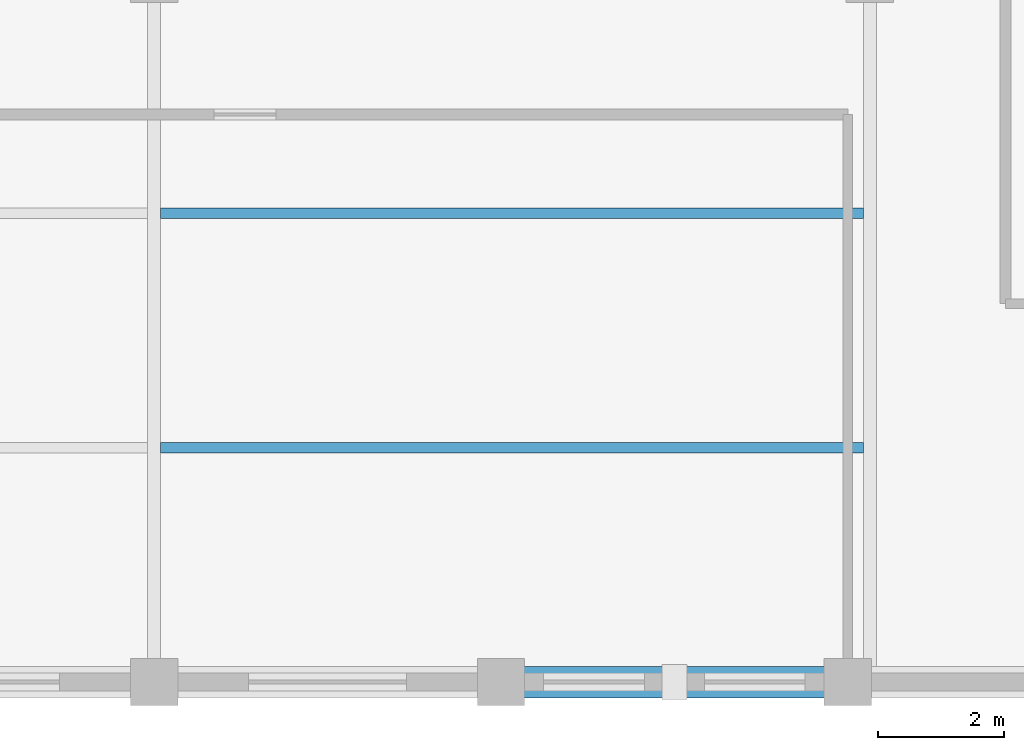
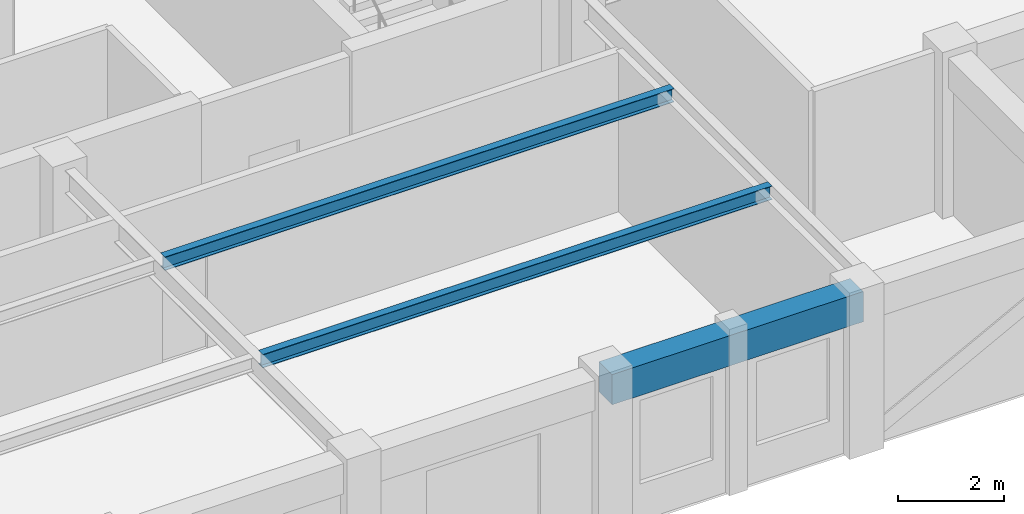
# One storey, part 3 of 13: 3 beams.
"""IFC4 building model written with IfcOpenShell, lengths in metres."""

from ifc_helpers import new_model, si_unit, direction, frame, origin, origin_2d, place, context, subcontext, project, spatial, rectangle, i_section, extrude, material, material_profile, profile_set, type_object, element, save


model = new_model("IFC4")

# Units and contexts
model_context = context("Model", 3, precision=1e-05, world=origin(), true_north=direction((0.0, 1.0)))
body_context = subcontext(model_context, "Body", "Model", "MODEL_VIEW")
ifc_project = project(units=[si_unit("LENGTHUNIT", "METRE"), si_unit("AREAUNIT", "SQUARE_METRE"), si_unit("VOLUMEUNIT", "CUBIC_METRE"), si_unit("PLANEANGLEUNIT", "RADIAN"), si_unit("MASSUNIT", "GRAM", prefix="KILO")], contexts=[model_context])

# Site, building, storey
site_placement = place(None, origin())
site = spatial("IfcSite", under=ifc_project, at=site_placement, CompositionType="ELEMENT")
building_placement = place(site_placement, origin())
building = spatial("IfcBuilding", under=site, at=building_placement, Name="Nhamokura Convention Tower", CompositionType="ELEMENT")
storey_placement = place(building_placement, frame((0.0, 0.0, 300.64990234375)))
storey = spatial("IfcBuildingStorey", under=building, at=storey_placement, Name="L74", CompositionType="ELEMENT", Elevation=300.64990234375)

# Beams
ifc_material_1 = material(Name="Steel ASTM A992 Gr 50", Category="steel")
ifc_material_profile_1 = material_profile(ifc_material_1, i_section(OverallWidth=0.166015625, OverallDepth=0.31298828125, WebThickness=0.006591796875, FlangeThickness=0.01123046875, at=origin_2d()))
ifc_profile_set_1 = profile_set([ifc_material_profile_1], Name="Steel ASTM A992 Gr 50")
beam_type_1 = type_object("IfcBeamType", Name="FloorJoist_W310X45", PredefinedType="JOIST", material=ifc_profile_set_1)
for number, where, z_axis, x_axis, name in (
    (1, (32.1025390625, 13.216796875, 3.528564453125), (1.0, 0.0, 0.0), (0.0, 1.0, 0.0), "L74 Composite Floor Joist S1B"),
    (2, (32.1025390625, 16.933349609375, 3.528564453125), (1.0, 0.0, 0.0), (0.0, 1.0, 0.0), "L74 Composite Floor Joist S2B"),
):
    element("IfcBeam", number, at=place(storey_placement, frame(where, z_axis=z_axis, x_axis=x_axis)), inside=storey, type_object=beam_type_1, Name=name, PredefinedType="JOIST", context=body_context, shape_type="SweptSolid", body=[
        extrude(i_section(OverallWidth=0.166015625, OverallDepth=0.31298828125, WebThickness=0.006591796875, FlangeThickness=0.01123046875, at=origin_2d()), origin(), (0.0, 0.0, 1.0), 11.14501953125),
    ])
ifc_material_2 = material(Name="Concrete C50/60", Category="concrete")
ifc_material_profile_2 = material_profile(ifc_material_2, rectangle(XDim=0.5, YDim=0.699951171875, at=origin_2d()))
ifc_profile_set_2 = profile_set([ifc_material_profile_2], Name="Concrete C50/60")
beam_type_2 = type_object("IfcBeamType", Name="TubeSpandrel_700", PredefinedType="SPANDREL", material=ifc_profile_set_2)
beam_placement = place(storey_placement, frame((37.5, 9.5, 3.335205078125), z_axis=(1.0, 0.0, 0.0), x_axis=(0.0, 1.0, 0.0)))
element("IfcBeam", 3, at=beam_placement, inside=storey, type_object=beam_type_2, Name="L74 Perimeter Spandrel SOUTH 5", PredefinedType="SPANDREL", context=body_context, shape_type="SweptSolid", body=[
    extrude(rectangle(XDim=0.5, YDim=0.699951171875, at=origin_2d()), origin(), (0.0, 0.0, 1.0), 5.5),
])

save(model, "model.ifc")
